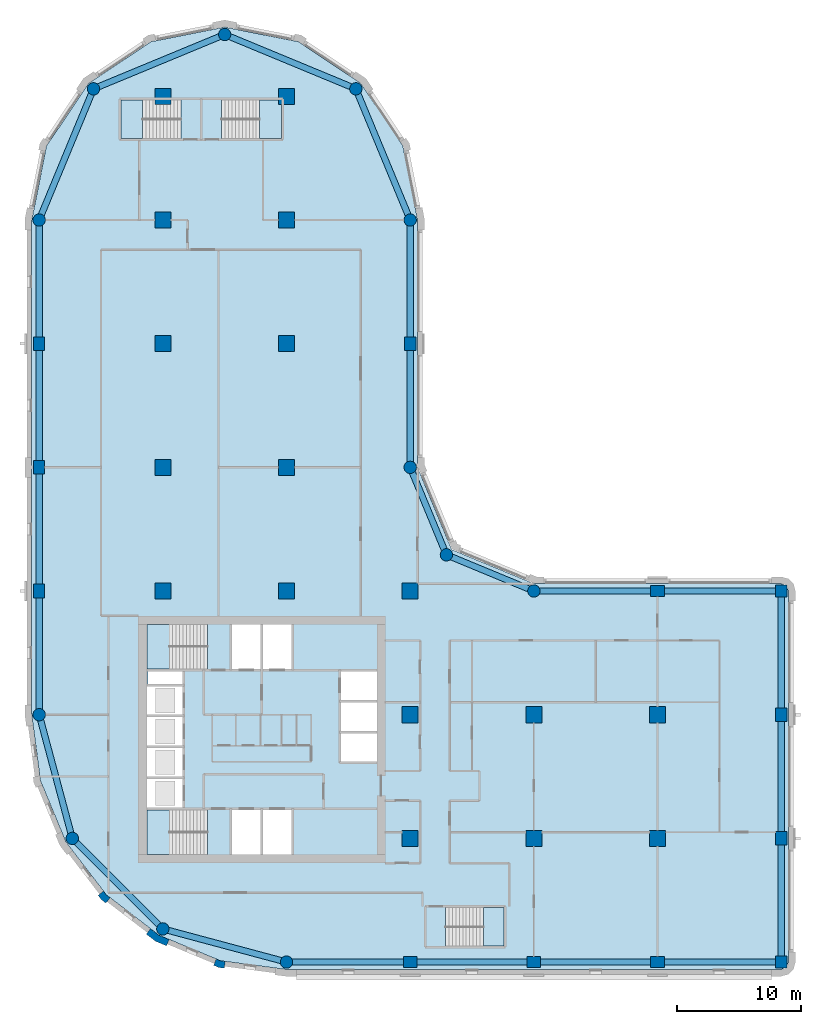
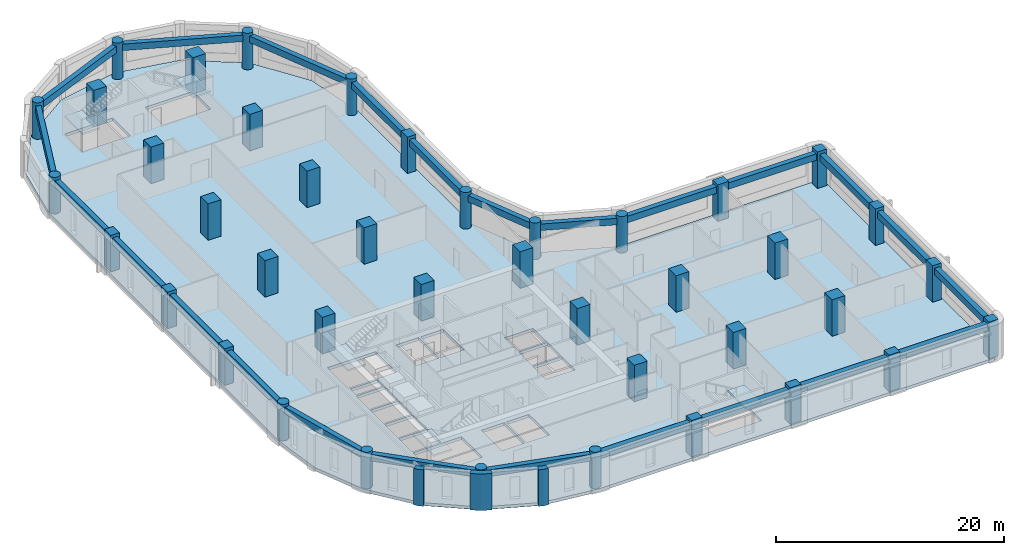
# One storey, part 1 of 10: 41 columns, 24 beams, 6 slabs, 3 walls, 5 elements without a shape of their own.
"""IFC4 building model written with IfcOpenShell, lengths in metres."""

from ifc_helpers import new_model, si_unit, direction, frame, origin, origin_2d, place, context, subcontext, project, spatial, polyline, rectangle, circle, outline, extrude, material, layer, layer_set, material_profile, profile_set, type_object, element, aggregate, save


model = new_model("IFC4")

# Units and contexts
model_context = context("Model", 3, precision=1e-05, world=origin(), true_north=direction((0.0, 1.0)))
body_context = subcontext(model_context, "Body", "Model", "MODEL_VIEW")
ifc_project = project(units=[si_unit("LENGTHUNIT", "METRE"), si_unit("AREAUNIT", "SQUARE_METRE"), si_unit("VOLUMEUNIT", "CUBIC_METRE"), si_unit("PLANEANGLEUNIT", "RADIAN"), si_unit("MASSUNIT", "GRAM", prefix="KILO")], contexts=[model_context])

# Site, building, storey
site_placement = place(None, origin())
site = spatial("IfcSite", under=ifc_project, at=site_placement, CompositionType="ELEMENT")
building_placement = place(site_placement, origin())
building = spatial("IfcBuilding", under=site, at=building_placement, Name="Qaws Garden Tower", CompositionType="ELEMENT")
storey_placement = place(building_placement, frame((0.0, 0.0, 178.5)))
storey = spatial("IfcBuildingStorey", under=building, at=storey_placement, Name="L43", CompositionType="ELEMENT", Elevation=178.5)

# Columns
ifc_material_1 = material(Name="Concrete C70", Category="concrete")
ifc_material_profile_1 = material_profile(ifc_material_1, rectangle(XDim=1.10009765625, YDim=0.89990234375, at=origin_2d()), Name="RC 1100x900")
ifc_profile_set_1 = profile_set([ifc_material_profile_1], Name="Concrete C70")
column_type_1 = type_object("IfcColumnType", Name="Column RC 1100x900 C70", PredefinedType="COLUMN", material=ifc_profile_set_1)
for number, where, z_axis, x_axis, name in (
    (1, (30.0, 0.0, 0.0), (0.0, 0.0, 1.0), (1.0, 0.0, 0.0), "Column L43-002"),
    (2, (40.0, 0.0, 0.0), (0.0, 0.0, 1.0), (1.0, 0.0, 0.0), "Column L43-003"),
    (3, (50.0, 0.0, 0.0), (0.0, 0.0, 1.0), (1.0, 0.0, 0.0), "Column L43-004"),
    (4, (60.0, 10.0, 0.0), (0.0, 0.0, 1.0), (0.0, 1.0, 0.0), "Column L43-006"),
    (5, (60.0, 20.0, 0.0), (0.0, 0.0, 1.0), (0.0, 1.0, 0.0), "Column L43-007"),
    (6, (50.0, 30.0, 0.0), (0.0, 0.0, 1.0), (1.0, 0.0, 0.0), "Column L43-009"),
    (7, (30.0, 50.0, 0.0), (0.0, 0.0, 1.0), (0.0, 1.0, 0.0), "Column L43-013"),
    (8, (0.0, 50.0, 0.0), (0.0, 0.0, 1.0), (0.0, 1.0, 0.0), "Column L43-019"),
    (9, (0.0, 40.0, 0.0), (0.0, 0.0, 1.0), (0.0, 1.0, 0.0), "Column L43-020"),
    (10, (0.0, 30.0, 0.0), (0.0, 0.0, 1.0), (0.0, 1.0, 0.0), "Column L43-021"),
):
    element("IfcColumn", number, at=place(storey_placement, frame(where, z_axis=z_axis, x_axis=x_axis)), inside=storey, type_object=column_type_1, Name=name, PredefinedType="COLUMN", context=body_context, shape_type="SweptSolid", body=[
        extrude(rectangle(XDim=1.10009765625, YDim=0.89990234375, at=origin_2d()), origin(), (0.0, 0.0, 1.0), 3.89990234375),
    ])
ifc_material_2 = material(Name="Concrete C70", Category="concrete")
ifc_material_profile_2 = material_profile(ifc_material_2, rectangle(XDim=1.300048828125, YDim=1.300048828125, at=origin_2d()), Name="RC 1300x1300")
ifc_profile_set_2 = profile_set([ifc_material_profile_2], Name="Concrete C70")
column_type_2 = type_object("IfcColumnType", Name="Column RC 1300x1300 C70", PredefinedType="COLUMN", material=ifc_profile_set_2)
for number, where, z_axis, x_axis, name in (
    (11, (10.0, 30.0, 0.0), (0.0, 0.0, 1.0), (1.0, 0.0, 0.0), "Column L43-025"),
    (12, (10.0, 40.0, 0.0), (0.0, 0.0, 1.0), (1.0, 0.0, 0.0), "Column L43-026"),
    (13, (10.0, 50.0, 0.0), (0.0, 0.0, 1.0), (1.0, 0.0, 0.0), "Column L43-027"),
    (14, (10.0, 60.0, 0.0), (0.0, 0.0, 1.0), (1.0, 0.0, 0.0), "Column L43-028"),
    (15, (10.0, 70.0, 0.0), (0.0, 0.0, 1.0), (1.0, 0.0, 0.0), "Column L43-029"),
    (16, (20.0, 30.0, 0.0), (0.0, 0.0, 1.0), (1.0, 0.0, 0.0), "Column L43-030"),
    (17, (20.0, 40.0, 0.0), (0.0, 0.0, 1.0), (1.0, 0.0, 0.0), "Column L43-031"),
    (18, (20.0, 50.0, 0.0), (0.0, 0.0, 1.0), (1.0, 0.0, 0.0), "Column L43-032"),
    (19, (20.0, 60.0, 0.0), (0.0, 0.0, 1.0), (1.0, 0.0, 0.0), "Column L43-033"),
    (20, (20.0, 70.0, 0.0), (0.0, 0.0, 1.0), (1.0, 0.0, 0.0), "Column L43-034"),
    (21, (30.0, 10.0, 0.0), (0.0, 0.0, 1.0), (1.0, 0.0, 0.0), "Column L43-035"),
    (22, (30.0, 20.0, 0.0), (0.0, 0.0, 1.0), (1.0, 0.0, 0.0), "Column L43-036"),
    (23, (30.0, 30.0, 0.0), (0.0, 0.0, 1.0), (1.0, 0.0, 0.0), "Column L43-037"),
    (24, (40.0, 10.0, 0.0), (0.0, 0.0, 1.0), (1.0, 0.0, 0.0), "Column L43-038"),
    (25, (40.0, 20.0, 0.0), (0.0, 0.0, 1.0), (1.0, 0.0, 0.0), "Column L43-039"),
    (26, (50.0, 10.0, 0.0), (0.0, 0.0, 1.0), (1.0, 0.0, 0.0), "Column L43-040"),
    (27, (50.0, 20.0, 0.0), (0.0, 0.0, 1.0), (1.0, 0.0, 0.0), "Column L43-041"),
):
    element("IfcColumn", number, at=place(storey_placement, frame(where, z_axis=z_axis, x_axis=x_axis)), inside=storey, type_object=column_type_2, Name=name, PredefinedType="COLUMN", context=body_context, shape_type="SweptSolid", body=[
        extrude(rectangle(XDim=1.300048828125, YDim=1.300048828125, at=origin_2d()), origin(), (0.0, 0.0, 1.0), 3.89990234375),
    ])
ifc_material_3 = material(Name="Concrete C70", Category="concrete")
ifc_material_profile_3 = material_profile(ifc_material_3, rectangle(XDim=0.949951171875, YDim=0.949951171875, at=origin_2d()), Name="RC 950x950")
ifc_profile_set_3 = profile_set([ifc_material_profile_3], Name="Concrete C70")
column_type_3 = type_object("IfcColumnType", Name="Column RC 950x950 C70", PredefinedType="COLUMN", material=ifc_profile_set_3)
for number, where, z_axis, x_axis, name in (
    (28, (60.0, 0.0, 0.0), (0.0, 0.0, 1.0), (1.0, 0.0, 0.0), "Column L43-005"),
    (29, (60.0, 30.0, 0.0), (0.0, 0.0, 1.0), (1.0, 0.0, 0.0), "Column L43-008"),
):
    element("IfcColumn", number, at=place(storey_placement, frame(where, z_axis=z_axis, x_axis=x_axis)), inside=storey, type_object=column_type_3, Name=name, PredefinedType="COLUMN", context=body_context, shape_type="SweptSolid", body=[
        extrude(rectangle(XDim=0.949951171875, YDim=0.949951171875, at=origin_2d()), origin(), (0.0, 0.0, 1.0), 3.89990234375),
    ])
ifc_material_4 = material(Name="Concrete C70", Category="concrete")
ifc_material_profile_4 = material_profile(ifc_material_4, circle(Radius=0.5, at=origin_2d()), Name="RC D1000")
ifc_profile_set_4 = profile_set([ifc_material_profile_4], Name="Concrete C70")
column_type_4 = type_object("IfcColumnType", Name="Column RC D1000 C70", PredefinedType="COLUMN", material=ifc_profile_set_4)
for number, where, z_axis, x_axis, name in (
    (30, (20.0, 0.0, 0.0), (0.0, 0.0, 1.0), (1.0, 0.0, 0.0), "Column L43-001"),
    (31, (40.0, 30.0, 0.0), (0.0, 0.0, 1.0), (1.0, 0.0, 0.0), "Column L43-010"),
    (32, (32.928955078125, 32.928955078125, 0.0), (0.0, 0.0, 1.0), (1.0, 0.0, 0.0), "Column L43-011"),
    (33, (30.0, 40.0, 0.0), (0.0, 0.0, 1.0), (1.0, 0.0, 0.0), "Column L43-012"),
    (34, (30.0, 60.0, 0.0), (0.0, 0.0, 1.0), (1.0, 0.0, 0.0), "Column L43-014"),
    (35, (25.606689453125, 70.606689453125, 0.0), (0.0, 0.0, 1.0), (1.0, 0.0, 0.0), "Column L43-015"),
    (36, (15.0, 75.0, 0.0), (0.0, 0.0, 1.0), (1.0, 0.0, 0.0), "Column L43-016"),
    (37, (4.393310546875, 70.606689453125, 0.0), (0.0, 0.0, 1.0), (1.0, 0.0, 0.0), "Column L43-017"),
    (38, (0.0, 60.0, 0.0), (0.0, 0.0, 1.0), (1.0, 0.0, 0.0), "Column L43-018"),
    (39, (0.0, 20.0, 0.0), (0.0, 0.0, 1.0), (1.0, 0.0, 0.0), "Column L43-022"),
    (40, (2.679443359375, 10.0, 0.0), (0.0, 0.0, 1.0), (1.0, 0.0, 0.0), "Column L43-023"),
    (41, (10.0, 2.679443359375, 0.0), (0.0, 0.0, 1.0), (1.0, 0.0, 0.0), "Column L43-024"),
):
    element("IfcColumn", number, at=place(storey_placement, frame(where, z_axis=z_axis, x_axis=x_axis)), inside=storey, type_object=column_type_4, Name=name, PredefinedType="COLUMN", context=body_context, shape_type="SweptSolid", body=[
        extrude(circle(Radius=0.5, at=origin_2d()), origin(), (0.0, 0.0, 1.0), 3.89990234375),
    ])

# Beams
ifc_material_5 = material(Name="Concrete C45", Category="concrete")
ifc_material_profile_5 = material_profile(ifc_material_5, rectangle(XDim=0.5, YDim=0.699951171875, at=origin_2d()), Name="RC 500x700")
ifc_profile_set_5 = profile_set([ifc_material_profile_5], Name="Concrete C45")
beam_type = type_object("IfcBeamType", Name="Spandrel beam RC 500x700 C45", PredefinedType="SPANDREL", material=ifc_profile_set_5)
for number, where, z_axis, x_axis, name in (
    (42, (20.0, 0.0, 3.22998046875), (1.0, 0.0, 0.0), (0.0, 1.0, 0.0), "Spandrel beam L43-001"),
    (43, (30.0, 0.0, 3.22998046875), (1.0, 0.0, 0.0), (0.0, 1.0, 0.0), "Spandrel beam L43-002"),
    (44, (40.0, 0.0, 3.22998046875), (1.0, 0.0, 0.0), (0.0, 1.0, 0.0), "Spandrel beam L43-003"),
    (45, (50.0, 0.0, 3.22998046875), (1.0, 0.0, 0.0), (0.0, 1.0, 0.0), "Spandrel beam L43-004"),
    (46, (60.0, 0.0, 3.22998046875), (0.0, 1.0, 0.0), (-1.0, 0.0, 0.0), "Spandrel beam L43-005"),
    (47, (60.0, 10.0, 3.22998046875), (0.0, 1.0, 0.0), (-1.0, 0.0, 0.0), "Spandrel beam L43-006"),
    (48, (60.0, 20.0, 3.22998046875), (0.0, 1.0, 0.0), (-1.0, 0.0, 0.0), "Spandrel beam L43-007"),
    (49, (60.0, 30.0, 3.22998046875), (-1.0, 0.0, 0.0), (0.0, -1.0, 0.0), "Spandrel beam L43-008"),
    (50, (50.0, 30.0, 3.22998046875), (-1.0, 0.0, 0.0), (0.0, -1.0, 0.0), "Spandrel beam L43-009"),
):
    element("IfcBeam", number, at=place(storey_placement, frame(where, z_axis=z_axis, x_axis=x_axis)), inside=storey, type_object=beam_type, Name=name, PredefinedType="SPANDREL", context=body_context, shape_type="SweptSolid", body=[
        extrude(rectangle(XDim=0.5, YDim=0.699951171875, at=origin_2d()), origin(), (0.0, 0.0, 1.0), 10.0),
    ])
for number, where, z_axis, x_axis, name in (
    (51, (40.0, 30.0, 3.22998046875), (-0.923878037141, 0.382687042488, 0.0), (-0.382687042488, -0.923878037141, 0.0), "Spandrel beam L43-010"),
    (52, (32.928955078125, 32.928955078125, 3.22998046875), (-0.382687042488, 0.923878037141, 0.0), (-0.923878037141, -0.382687042488, 0.0), "Spandrel beam L43-011"),
):
    element("IfcBeam", number, at=place(storey_placement, frame(where, z_axis=z_axis, x_axis=x_axis)), inside=storey, type_object=beam_type, Name=name, PredefinedType="SPANDREL", context=body_context, shape_type="SweptSolid", body=[
        extrude(rectangle(XDim=0.5, YDim=0.699951171875, at=origin_2d()), origin(), (0.0, 0.0, 1.0), 7.653564453125),
    ])
for number, where, z_axis, x_axis, name in (
    (53, (30.0, 40.0, 3.22998046875), (0.0, 1.0, 0.0), (-1.0, 0.0, 0.0), "Spandrel beam L43-012"),
    (54, (30.0, 50.0, 3.22998046875), (0.0, 1.0, 0.0), (-1.0, 0.0, 0.0), "Spandrel beam L43-013"),
):
    element("IfcBeam", number, at=place(storey_placement, frame(where, z_axis=z_axis, x_axis=x_axis)), inside=storey, type_object=beam_type, Name=name, PredefinedType="SPANDREL", context=body_context, shape_type="SweptSolid", body=[
        extrude(rectangle(XDim=0.5, YDim=0.699951171875, at=origin_2d()), origin(), (0.0, 0.0, 1.0), 10.0),
    ])
for number, where, z_axis, x_axis, name in (
    (55, (30.0, 60.0, 3.22998046875), (-0.382674207535, 0.923883353507, 0.0), (-0.923883353507, -0.382674207535, 0.0), "Spandrel beam L43-014"),
    (56, (25.606689453125, 70.606689453125, 3.22998046875), (-0.923883353507, 0.382674207535, 0.0), (-0.382674207535, -0.923883353507, 0.0), "Spandrel beam L43-015"),
    (57, (15.0, 75.0, 3.22998046875), (-0.923883353507, -0.382674207535, 0.0), (0.382674207535, -0.923883353507, 0.0), "Spandrel beam L43-016"),
    (58, (4.393310546875, 70.606689453125, 3.22998046875), (-0.382674207535, -0.923883353507, 0.0), (0.923883353507, -0.382674207535, 0.0), "Spandrel beam L43-017"),
):
    element("IfcBeam", number, at=place(storey_placement, frame(where, z_axis=z_axis, x_axis=x_axis)), inside=storey, type_object=beam_type, Name=name, PredefinedType="SPANDREL", context=body_context, shape_type="SweptSolid", body=[
        extrude(rectangle(XDim=0.5, YDim=0.699951171875, at=origin_2d()), origin(), (0.0, 0.0, 1.0), 11.48046875),
    ])
for number, where, z_axis, x_axis, name in (
    (59, (0.0, 60.0, 3.22998046875), (0.0, -1.0, 0.0), (1.0, 0.0, 0.0), "Spandrel beam L43-018"),
    (60, (0.0, 50.0, 3.22998046875), (0.0, -1.0, 0.0), (1.0, 0.0, 0.0), "Spandrel beam L43-019"),
    (61, (0.0, 40.0, 3.22998046875), (0.0, -1.0, 0.0), (1.0, 0.0, 0.0), "Spandrel beam L43-020"),
    (62, (0.0, 30.0, 3.22998046875), (0.0, -1.0, 0.0), (1.0, 0.0, 0.0), "Spandrel beam L43-021"),
):
    element("IfcBeam", number, at=place(storey_placement, frame(where, z_axis=z_axis, x_axis=x_axis)), inside=storey, type_object=beam_type, Name=name, PredefinedType="SPANDREL", context=body_context, shape_type="SweptSolid", body=[
        extrude(rectangle(XDim=0.5, YDim=0.699951171875, at=origin_2d()), origin(), (0.0, 0.0, 1.0), 10.0),
    ])
for number, where, z_axis, x_axis, name in (
    (63, (0.0, 20.0, 3.22998046875), (0.25881466832, -0.965926999034, 0.0), (0.965926999034, 0.25881466832, 0.0), "Spandrel beam L43-022"),
    (64, (2.679443359375, 10.0, 3.22998046875), (0.707106781187, -0.707106781187, 0.0), (0.707106781187, 0.707106781187, 0.0), "Spandrel beam L43-023"),
    (65, (10.0, 2.679443359375, 3.22998046875), (0.965926999034, -0.25881466832, 0.0), (0.25881466832, 0.965926999034, 0.0), "Spandrel beam L43-024"),
):
    element("IfcBeam", number, at=place(storey_placement, frame(where, z_axis=z_axis, x_axis=x_axis)), inside=storey, type_object=beam_type, Name=name, PredefinedType="SPANDREL", context=body_context, shape_type="SweptSolid", body=[
        extrude(rectangle(XDim=0.5, YDim=0.699951171875, at=origin_2d()), origin(), (0.0, 0.0, 1.0), 10.352783203125),
    ])

# Slab
ifc_material_6 = material(Name="Concrete C40", Category="concrete")
ifc_layer_1 = layer(ifc_material_6, 0.320068359375)
ifc_layer_set_1 = layer_set([ifc_layer_1], Name="Concrete C40")
slab_type_1 = type_object("IfcSlabType", Name="Floor slab 320 C40", PredefinedType="FLOOR", material=ifc_layer_set_1)
slab_1_placement = place(storey_placement, frame((0.0, 0.0, -0.320068359375)))
element("IfcSlab", 66, at=slab_1_placement, inside=storey, type_object=slab_type_1, Name="Floor slab L43", PredefinedType="FLOOR", context=body_context, shape_type="SweptSolid", body=[
    extrude(outline(polyline([(0.101806640625, 14.668212890625), (-0.60009765625, 20.0), (-0.60009765625, 30.60009765625), (-0.60009765625, 60.0), (-0.60009765625, 60.0), (0.58740234375, 65.969970703125), (3.968994140625, 71.031005859375), (9.030029296875, 74.41259765625), (15.0, 75.60009765625), (20.969970703125, 74.41259765625), (26.031005859375, 71.031005859375), (29.41259765625, 65.969970703125), (30.60009765625, 60.0), (30.60009765625, 40.0), (33.353271484375, 33.353271484375), (40.0, 30.60009765625), (60.0, 30.60009765625), (60.42431640625, 30.42431640625), (60.60009765625, 30.0), (60.60009765625, 0.0), (60.42431640625, -0.42431640625), (60.0, -0.60009765625), (30.60009765625, -0.60009765625), (20.0, -0.60009765625), (14.668212890625, 0.101806640625), (9.699951171875, 2.159912109375), (5.43359375, 5.43359375), (2.159912109375, 9.699951171875), (0.101806640625, 14.668212890625)]), holes=[polyline([(13.599609375, 12.300048828125), (8.699951171875, 12.300048828125), (8.699951171875, 8.699951171875), (13.599609375, 8.699951171875), (13.599609375, 12.300048828125)]), polyline([(17.89990234375, 12.300048828125), (15.60009765625, 12.300048828125), (15.60009765625, 8.699951171875), (17.89990234375, 8.699951171875), (17.89990234375, 12.300048828125)]), polyline([(11.60009765625, 14.800048828125), (8.699951171875, 14.800048828125), (8.699951171875, 12.5), (11.60009765625, 12.5), (11.60009765625, 14.800048828125)]), polyline([(11.60009765625, 17.300048828125), (8.699951171875, 17.300048828125), (8.699951171875, 15.0), (11.60009765625, 15.0), (11.60009765625, 17.300048828125)]), polyline([(11.60009765625, 19.800048828125), (8.699951171875, 19.800048828125), (8.699951171875, 17.5), (11.60009765625, 17.5), (11.60009765625, 19.800048828125)]), polyline([(11.60009765625, 22.300048828125), (8.699951171875, 22.300048828125), (8.699951171875, 20.0), (11.60009765625, 20.0), (11.60009765625, 22.300048828125)]), polyline([(11.60009765625, 23.5), (8.800048828125, 23.5), (8.800048828125, 22.5), (11.60009765625, 22.5), (11.60009765625, 23.5)]), polyline([(13.599609375, 27.300048828125), (8.699951171875, 27.300048828125), (8.699951171875, 23.699951171875), (13.599609375, 23.699951171875), (13.599609375, 27.300048828125)]), polyline([(11.449462890625, 69.699951171875), (6.60009765625, 69.699951171875), (6.60009765625, 66.60009765625), (11.449462890625, 66.60009765625), (11.449462890625, 69.699951171875)]), polyline([(37.60009765625, 4.39990234375), (32.8505859375, 4.39990234375), (32.8505859375, 1.300048828125), (37.60009765625, 1.300048828125), (37.60009765625, 4.39990234375)]), polyline([(20.39990234375, 12.300048828125), (18.10009765625, 12.300048828125), (18.10009765625, 8.699951171875), (20.39990234375, 8.699951171875), (20.39990234375, 12.300048828125)]), polyline([(27.300048828125, 18.5), (24.39990234375, 18.5), (24.39990234375, 16.199951171875), (27.300048828125, 16.199951171875), (27.300048828125, 18.5)]), polyline([(27.300048828125, 21.0), (24.39990234375, 21.0), (24.39990234375, 18.699951171875), (27.300048828125, 18.699951171875), (27.300048828125, 21.0)]), polyline([(27.300048828125, 23.5), (24.39990234375, 23.5), (24.39990234375, 21.199951171875), (27.300048828125, 21.199951171875), (27.300048828125, 23.5)]), polyline([(17.89990234375, 27.300048828125), (15.60009765625, 27.300048828125), (15.60009765625, 23.699951171875), (17.89990234375, 23.699951171875), (17.89990234375, 27.300048828125)]), polyline([(20.39990234375, 23.699951171875), (20.39990234375, 27.300048828125), (18.10009765625, 27.300048828125), (18.10009765625, 23.699951171875), (20.39990234375, 23.699951171875)]), polyline([(19.60009765625, 66.60009765625), (19.60009765625, 69.699951171875), (14.75048828125, 69.699951171875), (14.75048828125, 66.60009765625), (19.60009765625, 66.60009765625)])]), origin(), (0.0, 0.0, 1.0), 0.320068359375),
])

# Stair, slab
ifc_material_7 = material(Name="Concrete C40", Category="concrete")
stair_type_1 = type_object("IfcStairType", Name="Exit stair 1500", PredefinedType="HALF_TURN_STAIR", material=ifc_material_7)
placement_1 = place(storey_placement, origin())
stair_1 = element("IfcStair", 67, at=placement_1, inside=storey, type_object=stair_type_1, Name="Stair 1", PredefinedType="HALF_TURN_STAIR")
ifc_material_8 = material(Name="Concrete C40", Category="concrete")
ifc_layer_2 = layer(ifc_material_8, 0.199951171875)
ifc_layer_set_2 = layer_set([ifc_layer_2], Name="Concrete C40")
slab_type_2 = type_object("IfcSlabType", Name="Stair landing 200", PredefinedType="LANDING", material=ifc_layer_set_2)
placement_2 = place(storey_placement, frame((0.0, 0.0, 1.75)))
slab_2 = element("IfcSlab", 68, at=placement_2, type_object=slab_type_2, Name="ST1 landing 1", PredefinedType="LANDING", context=body_context, shape_type="SweptSolid", body=[
    extrude(outline(polyline([(8.699951171875, 8.699951171875), (10.52001953125, 8.699951171875), (10.52001953125, 12.300048828125), (8.699951171875, 12.300048828125), (8.699951171875, 8.699951171875)])), origin(), (0.0, 0.0, 1.0), 0.199951171875),
])
aggregate(stair_1, [slab_2])

stair_2 = element("IfcStair", 69, at=placement_1, inside=storey, type_object=stair_type_1, Name="Stair 4", PredefinedType="HALF_TURN_STAIR")
slab_3 = element("IfcSlab", 70, at=placement_2, type_object=slab_type_2, Name="ST4 landing 1", PredefinedType="LANDING", context=body_context, shape_type="SweptSolid", body=[
    extrude(outline(polyline([(8.699951171875, 23.699951171875), (10.52001953125, 23.699951171875), (10.52001953125, 27.300048828125), (8.699951171875, 27.300048828125), (8.699951171875, 23.699951171875)])), origin(), (0.0, 0.0, 1.0), 0.199951171875),
])
aggregate(stair_2, [slab_3])

ifc_material_9 = material(Name="Concrete C40", Category="concrete")
stair_type_2 = type_object("IfcStairType", Name="Exit stair 1350", PredefinedType="HALF_TURN_STAIR", material=ifc_material_9)
stair_3 = element("IfcStair", 71, at=placement_1, inside=storey, type_object=stair_type_2, Name="Stair 5", PredefinedType="HALF_TURN_STAIR")
slab_4 = element("IfcSlab", 72, at=placement_2, type_object=slab_type_2, Name="ST5 landing 1", PredefinedType="LANDING", context=body_context, shape_type="SweptSolid", body=[
    extrude(outline(polyline([(35.929931640625, 1.300048828125), (37.60009765625, 1.300048828125), (37.60009765625, 4.39990234375), (35.929931640625, 4.39990234375), (35.929931640625, 1.300048828125)])), origin(), (0.0, 0.0, 1.0), 0.199951171875),
])
aggregate(stair_3, [slab_4])

stair_4 = element("IfcStair", 73, at=placement_1, inside=storey, type_object=stair_type_2, Name="Stair 6", PredefinedType="HALF_TURN_STAIR")
slab_5 = element("IfcSlab", 74, at=placement_2, type_object=slab_type_2, Name="ST6 landing 1", PredefinedType="LANDING", context=body_context, shape_type="SweptSolid", body=[
    extrude(outline(polyline([(6.60009765625, 66.60009765625), (8.3701171875, 66.60009765625), (8.3701171875, 69.699951171875), (6.60009765625, 69.699951171875), (6.60009765625, 66.60009765625)])), origin(), (0.0, 0.0, 1.0), 0.199951171875),
])
aggregate(stair_4, [slab_5])

stair_5 = element("IfcStair", 75, at=placement_1, inside=storey, type_object=stair_type_2, Name="Stair 7", PredefinedType="HALF_TURN_STAIR")
slab_6 = element("IfcSlab", 76, at=placement_2, type_object=slab_type_2, Name="ST7 landing 1", PredefinedType="LANDING", context=body_context, shape_type="SweptSolid", body=[
    extrude(outline(polyline([(17.830078125, 66.60009765625), (19.60009765625, 66.60009765625), (19.60009765625, 69.699951171875), (17.830078125, 69.699951171875), (17.830078125, 66.60009765625)])), origin(), (0.0, 0.0, 1.0), 0.199951171875),
])
aggregate(stair_5, [slab_6])

# Walls
ifc_material_10 = material(Name="Clay facing brick masonry", Category="masonry")
ifc_layer_3 = layer(ifc_material_10, 0.550048828125)
ifc_layer_set_3 = layer_set([ifc_layer_3], Name="Clay facing brick masonry")
wall_type_1 = type_object("IfcWallType", Name="Brick kink pier 550 x 600", PredefinedType="SOLIDWALL", material=ifc_layer_set_3)
element("IfcWall", 77, at=placement_1, inside=storey, type_object=wall_type_1, Name="E-L43-pier-28", PredefinedType="SOLIDWALL", context=body_context, shape_type="SweptSolid", body=[
    extrude(outline(polyline([(4.8818359375, 5.487060546875), (4.762939453125, 5.395751953125), (5.03759765625, 5.03759765625), (5.395751953125, 4.762939453125), (5.487060546875, 4.8818359375), (5.730712890625, 5.19921875), (5.429931640625, 5.429931640625), (5.19921875, 5.730712890625), (4.8818359375, 5.487060546875)])), origin(), (0.0, 0.0, 1.0), 3.89990234375),
])
element("IfcWall", 78, at=placement_1, inside=storey, type_object=wall_type_1, Name="E-L43-pier-30", PredefinedType="SOLIDWALL", context=body_context, shape_type="SweptSolid", body=[
    extrude(outline(polyline([(14.163818359375, -0.127685546875), (14.1064453125, -0.26611328125), (14.5234375, -0.43896484375), (14.970947265625, -0.497802734375), (14.990478515625, -0.34912109375), (15.042724609375, 0.04736328125), (14.6669921875, 0.096923828125), (14.31689453125, 0.241943359375), (14.163818359375, -0.127685546875)])), origin(), (0.0, 0.0, 1.0), 3.89990234375),
])
ifc_material_11 = material(Name="Clay facing brick masonry", Category="masonry")
ifc_layer_4 = layer(ifc_material_11, 0.550048828125)
ifc_layer_set_4 = layer_set([ifc_layer_4], Name="Clay facing brick masonry")
wall_type_2 = type_object("IfcWallType", Name="Brick pier 550 x 1600", PredefinedType="SOLIDWALL", material=ifc_layer_set_4)
element("IfcWall", 79, at=placement_1, inside=storey, type_object=wall_type_2, Name="E-L43-pier-29", PredefinedType="SOLIDWALL", context=body_context, shape_type="SweptSolid", body=[
    extrude(outline(polyline([(8.756591796875, 2.373046875), (8.665283203125, 2.254150390625), (9.419921875, 1.675048828125), (10.299072265625, 1.310791015625), (10.3564453125, 1.449462890625), (10.509521484375, 1.819091796875), (9.697509765625, 2.1552734375), (9.0, 2.6904296875), (8.756591796875, 2.373046875)])), origin(), (0.0, 0.0, 1.0), 3.89990234375),
])

save(model, "model.ifc")
